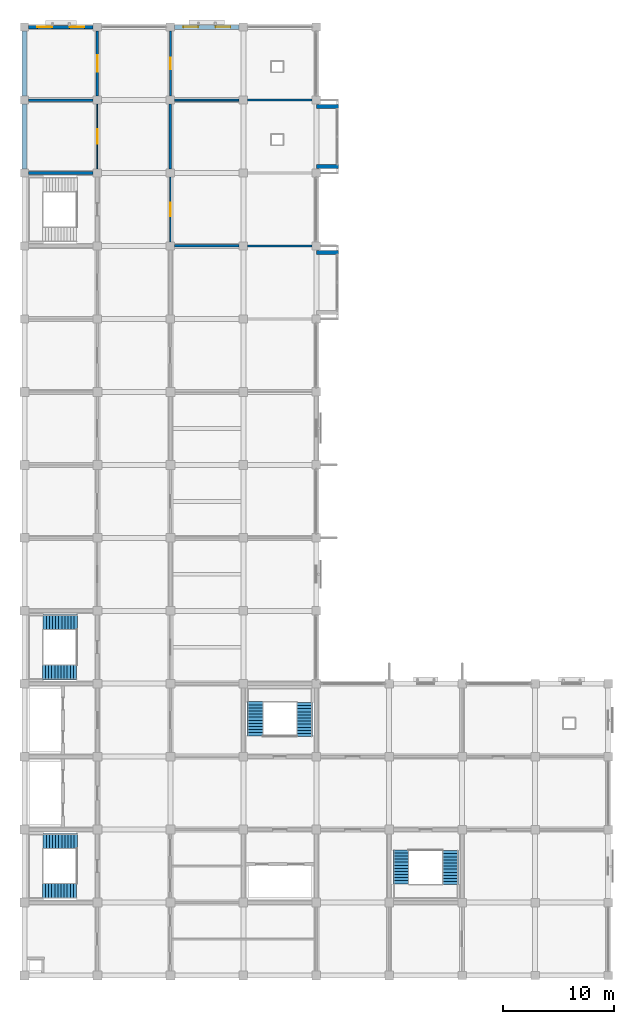
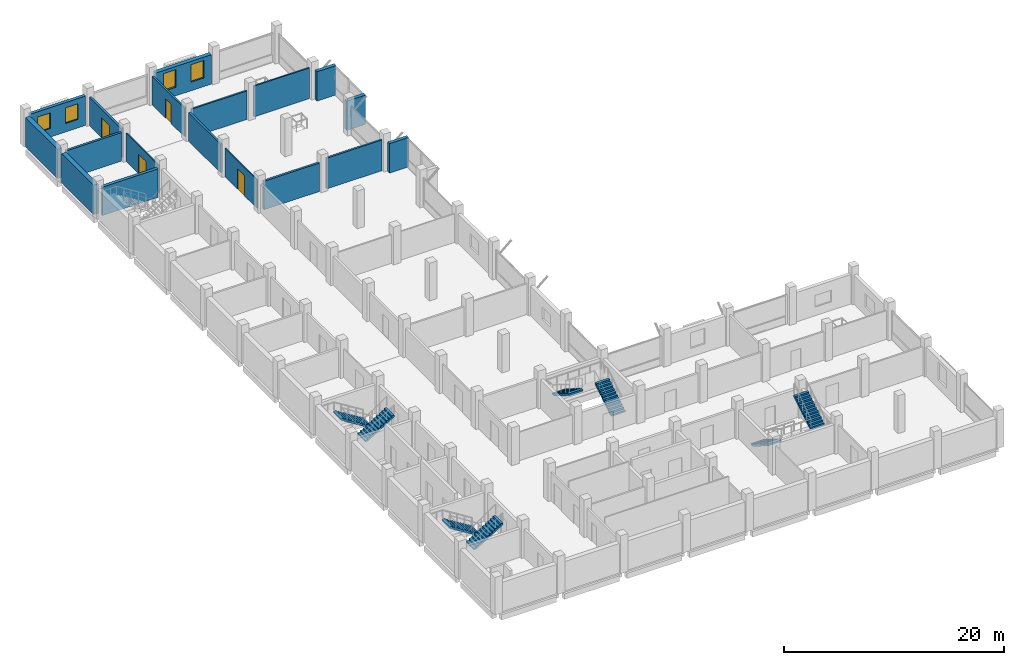
# One storey, part 13 of 18: 18 walls, 8 stair flights, 4 doors, 4 windows, 8 openings, 4 elements without a shape of their own.
"""IFC4 building model written with IfcOpenShell, lengths in metres."""

from ifc_helpers import new_model, si_unit, direction, frame, frame_2d, origin, place, context, subcontext, project, spatial, polyline, rectangle, outline, extrude, material, layer, layer_set, type_object, element, fill, aggregate, save


model = new_model("IFC4")

# Units and contexts
model_context = context("Model", 3, precision=1e-05, world=origin(), true_north=direction((0.0, 1.0)))
body_context = subcontext(model_context, "Body", "Model", "MODEL_VIEW")
ifc_project = project(units=[si_unit("LENGTHUNIT", "METRE"), si_unit("AREAUNIT", "SQUARE_METRE"), si_unit("VOLUMEUNIT", "CUBIC_METRE"), si_unit("PLANEANGLEUNIT", "RADIAN"), si_unit("MASSUNIT", "GRAM", prefix="KILO")], contexts=[model_context])

# Site, building, storey
site_placement = place(None, origin())
site = spatial("IfcSite", under=ifc_project, at=site_placement, CompositionType="ELEMENT")
building_placement = place(site_placement, origin())
building = spatial("IfcBuilding", under=site, at=building_placement, Name="Rusizi Kubbe Research Institute", CompositionType="ELEMENT")
storey_placement = place(building_placement, frame((0.0, 0.0, 22.800048828125)))
storey = spatial("IfcBuildingStorey", under=building, at=storey_placement, Name="L05", CompositionType="ELEMENT", Elevation=22.800048828125)

# Wall
ifc_material_1 = material(Name="Concrete C45/55", Category="concrete")
ifc_layer_1 = layer(ifc_material_1, 0.31494140625)
ifc_layer_set_1 = layer_set([ifc_layer_1], Name="Concrete C45/55")
wall_type_1 = type_object("IfcWallType", Name="CRW-02", PredefinedType="SHEAR", material=ifc_layer_set_1)
wall_1_placement = place(storey_placement, frame((0.375, 72.60009765625, 0.0), z_axis=(0.0, 0.0, 1.0), x_axis=(1.0, 0.0, 0.0)))
element("IfcWall", 1, at=wall_1_placement, inside=storey, type_object=wall_type_1, Name="Stair Core Shear Wall ST5 L05 N", PredefinedType="SHEAR", context=body_context, shape_type="SweptSolid", body=[
    extrude(rectangle(XDim=5.85009765625, YDim=0.31494140625, at=frame_2d((2.925048828125, 0.0))), origin(), (0.0, 0.0, 1.0), 3.169921875),
])

# Wall, openings, windows
ifc_material_2 = material(Name="Volcanic Basalt Ashlar Masonry", Category="masonry")
ifc_layer_2 = layer(ifc_material_2, 0.419921875)
ifc_layer_set_2 = layer_set([ifc_layer_2], Name="Volcanic Basalt Ashlar Masonry")
wall_type_2 = type_object("IfcWallType", Name="EW-02", PredefinedType="SOLIDWALL", material=ifc_layer_set_2)
wall_2_placement = place(storey_placement, frame((13.574951171875, 85.800048828125, 0.0), z_axis=(0.0, 0.0, 1.0), x_axis=(1.0, 0.0, 0.0)))
wall_2 = element("IfcWall", 2, at=wall_2_placement, inside=storey, type_object=wall_type_2, Name="Ablaq Stone Exterior Wall L05 H2-13", PredefinedType="SOLIDWALL", context=body_context, shape_type="SweptSolid", body=[
    extrude(rectangle(XDim=5.85009765625, YDim=0.419921875, at=frame_2d((2.925048828125, 0.0))), origin(), (0.0, 0.0, 1.0), 3.27001953125),
])
opening_1_placement = place(wall_2_placement, frame((0.800048828125, 0.0, 0.949951171875)))
opening_1 = element("IfcOpeningElement", 3, at=opening_1_placement, cuts=wall_2, Name="Opening WN-16", PredefinedType="OPENING", context=body_context, shape_type="SweptSolid", body=[
    extrude(rectangle(XDim=1.340087890625, YDim=1.9599609375, at=frame_2d((0.669921875, 0.97998046875))), frame((0.0, 0.219970703125, 0.0), z_axis=(0.0, -1.0, 0.0), x_axis=(1.0, 0.0, 0.0)), (0.0, 0.0, 1.0), 0.43994140625),
])
opening_2_placement = place(wall_2_placement, frame((3.7099609375, 0.0, 0.949951171875)))
opening_2 = element("IfcOpeningElement", 4, at=opening_2_placement, cuts=wall_2, Name="Opening WN-16", PredefinedType="OPENING", context=body_context, shape_type="SweptSolid", body=[
    extrude(rectangle(XDim=1.340087890625, YDim=1.9599609375, at=frame_2d((0.669921875, 0.97998046875))), frame((0.0, 0.219970703125, 0.0), z_axis=(0.0, -1.0, 0.0), x_axis=(1.0, 0.0, 0.0)), (0.0, 0.0, 1.0), 0.43994140625),
])
ifc_material_3 = material(Name="Aluminium Frame and Solar-Control Double Glazing", Category="glass")
window_type_1 = type_object("IfcWindowType", Name="WN-16", PartitioningType="SINGLE_PANEL", PredefinedType="WINDOW", material=ifc_material_3)
window_1_placement = place(opening_1_placement, origin())
window_1 = element("IfcWindow", 5, at=window_1_placement, inside=storey, type_object=window_type_1, Name="Casement Window WN-16 L05", OverallHeight=1.9599609375, OverallWidth=1.340087890625, PartitioningType="SINGLE_PANEL", PredefinedType="WINDOW", context=body_context, shape_type="SweptSolid", body=[
    extrude(rectangle(XDim=1.340087890625, YDim=1.9599609375, at=frame_2d((0.669921875, 0.97998046875))), frame((0.0, 0.030029296875, 0.0), z_axis=(0.0, -1.0, 0.0), x_axis=(1.0, 0.0, 0.0)), (0.0, 0.0, 1.0), 0.06005859375),
])
fill(opening_1, window_1)
window_2_placement = place(opening_2_placement, origin())
window_2 = element("IfcWindow", 6, at=window_2_placement, inside=storey, type_object=window_type_1, Name="Casement Window WN-16 L05", OverallHeight=1.9599609375, OverallWidth=1.340087890625, PartitioningType="SINGLE_PANEL", PredefinedType="WINDOW", context=body_context, shape_type="SweptSolid", body=[
    extrude(rectangle(XDim=1.340087890625, YDim=1.9599609375, at=frame_2d((0.669921875, 0.97998046875))), frame((0.0, 0.030029296875, 0.0), z_axis=(0.0, -1.0, 0.0), x_axis=(1.0, 0.0, 0.0)), (0.0, 0.0, 1.0), 0.06005859375),
])
fill(opening_2, window_2)

# Walls
ifc_material_4 = material(Name="Volcanic Basalt Ashlar Masonry", Category="masonry")
ifc_layer_3 = layer(ifc_material_4, 0.35498046875)
ifc_layer_set_3 = layer_set([ifc_layer_3], Name="Volcanic Basalt Ashlar Masonry")
wall_type_3 = type_object("IfcWallType", Name="EW-06", PredefinedType="SOLIDWALL", material=ifc_layer_set_3)
for number, where, z_axis, x_axis, name in (
    (7, (26.39990234375, 65.39990234375, 0.0), (0.0, 0.0, 1.0), (1.0, 0.0, 0.0), "Cumba Return Wall N L05 (4,9)"),
    (8, (26.39990234375, 73.199951171875, 0.0), (0.0, 0.0, 1.0), (1.0, 0.0, 0.0), "Cumba Return Wall S L05 (4,11)"),
    (9, (26.39990234375, 78.60009765625, 0.0), (0.0, 0.0, 1.0), (1.0, 0.0, 0.0), "Cumba Return Wall N L05 (4,11)"),
):
    element("IfcWall", number, at=place(storey_placement, frame(where, z_axis=z_axis, x_axis=x_axis)), inside=storey, type_object=wall_type_3, Name=name, PredefinedType="SOLIDWALL", context=body_context, shape_type="SweptSolid", body=[
        extrude(rectangle(XDim=2.0, YDim=0.35498046875, at=frame_2d((1.0, 0.0))), origin(), (0.0, 0.0, 1.0), 3.27001953125),
    ])

# Wall, openings, windows
ifc_material_5 = material(Name="Volcanic Basalt Ashlar Masonry", Category="masonry")
ifc_layer_4 = layer(ifc_material_5, 0.324951171875)
ifc_layer_set_4 = layer_set([ifc_layer_4], Name="Volcanic Basalt Ashlar Masonry")
wall_type_4 = type_object("IfcWallType", Name="EW-08", PredefinedType="SOLIDWALL", material=ifc_layer_set_4)
wall_3_placement = place(storey_placement, frame((0.375, 85.800048828125, 0.0), z_axis=(0.0, 0.0, 1.0), x_axis=(1.0, 0.0, 0.0)))
wall_3 = element("IfcWall", 10, at=wall_3_placement, inside=storey, type_object=wall_type_4, Name="Ablaq Stone Exterior Wall L05 H0-13", PredefinedType="SOLIDWALL", context=body_context, shape_type="SweptSolid", body=[
    extrude(rectangle(XDim=5.85009765625, YDim=0.324951171875, at=frame_2d((2.925048828125, 0.0))), origin(), (0.0, 0.0, 1.0), 3.27001953125),
])
opening_3_placement = place(wall_3_placement, frame((0.800048828125, 0.0, 0.949951171875)))
opening_3 = element("IfcOpeningElement", 11, at=opening_3_placement, cuts=wall_3, Name="Opening WN-15", PredefinedType="OPENING", context=body_context, shape_type="SweptSolid", body=[
    extrude(rectangle(XDim=1.340087890625, YDim=1.739990234375, at=frame_2d((0.669921875, 0.8701171875))), frame((0.0, 0.17236328125, 0.0), z_axis=(0.0, -1.0, 0.0), x_axis=(1.0, 0.0, 0.0)), (0.0, 0.0, 1.0), 0.344970703125),
])
opening_4_placement = place(wall_3_placement, frame((3.7099609375, 0.0, 0.949951171875)))
opening_4 = element("IfcOpeningElement", 12, at=opening_4_placement, cuts=wall_3, Name="Opening WN-15", PredefinedType="OPENING", context=body_context, shape_type="SweptSolid", body=[
    extrude(rectangle(XDim=1.340087890625, YDim=1.739990234375, at=frame_2d((0.669921875, 0.8701171875))), frame((0.0, 0.17236328125, 0.0), z_axis=(0.0, -1.0, 0.0), x_axis=(1.0, 0.0, 0.0)), (0.0, 0.0, 1.0), 0.344970703125),
])
ifc_material_6 = material(Name="Aluminium Frame and Solar-Control Double Glazing", Category="glass")
window_type_2 = type_object("IfcWindowType", Name="WN-15", PartitioningType="SINGLE_PANEL", PredefinedType="WINDOW", material=ifc_material_6)
window_3_placement = place(opening_3_placement, origin())
window_3 = element("IfcWindow", 13, at=window_3_placement, inside=storey, type_object=window_type_2, Name="Casement Window WN-15 L05", OverallHeight=1.739990234375, OverallWidth=1.340087890625, PartitioningType="SINGLE_PANEL", PredefinedType="WINDOW", context=body_context, shape_type="SweptSolid", body=[
    extrude(rectangle(XDim=1.340087890625, YDim=1.739990234375, at=frame_2d((0.669921875, 0.8701171875))), frame((0.0, 0.030029296875, 0.0), z_axis=(0.0, -1.0, 0.0), x_axis=(1.0, 0.0, 0.0)), (0.0, 0.0, 1.0), 0.06005859375),
])
fill(opening_3, window_3)
window_4_placement = place(opening_4_placement, origin())
window_4 = element("IfcWindow", 14, at=window_4_placement, inside=storey, type_object=window_type_2, Name="Casement Window WN-15 L05", OverallHeight=1.739990234375, OverallWidth=1.340087890625, PartitioningType="SINGLE_PANEL", PredefinedType="WINDOW", context=body_context, shape_type="SweptSolid", body=[
    extrude(rectangle(XDim=1.340087890625, YDim=1.739990234375, at=frame_2d((0.669921875, 0.8701171875))), frame((0.0, 0.030029296875, 0.0), z_axis=(0.0, -1.0, 0.0), x_axis=(1.0, 0.0, 0.0)), (0.0, 0.0, 1.0), 0.06005859375),
])
fill(opening_4, window_4)

# Wall
ifc_material_7 = material(Name="Concrete Blockwork Fire Partition", Category="masonry")
ifc_layer_5 = layer(ifc_material_7, 0.22509765625)
ifc_layer_set_5 = layer_set([ifc_layer_5], Name="Concrete Blockwork Fire Partition")
wall_type_5 = type_object("IfcWallType", Name="IW-01", PredefinedType="PARTITIONING", material=ifc_layer_set_5)
wall_4_placement = place(storey_placement, frame((0.375, 79.199951171875, 0.0), z_axis=(0.0, 0.0, 1.0), x_axis=(1.0, 0.0, 0.0)))
element("IfcWall", 15, at=wall_4_placement, inside=storey, type_object=wall_type_5, Name="Interior Partition Wall L05 H0-12", PredefinedType="PARTITIONING", context=body_context, shape_type="SweptSolid", body=[
    extrude(rectangle(XDim=5.85009765625, YDim=0.22509765625, at=frame_2d((2.925048828125, 0.0))), origin(), (0.0, 0.0, 1.0), 3.169921875),
])

# Wall, opening, door
wall_5_placement = place(storey_placement, frame((6.60009765625, 79.574951171875, 0.0), z_axis=(0.0, 0.0, 1.0), x_axis=(0.0, 1.0, 0.0)))
wall_5 = element("IfcWall", 16, at=wall_5_placement, inside=storey, type_object=wall_type_5, Name="Interior Partition Wall L05 V1-12", PredefinedType="PARTITIONING", context=body_context, shape_type="SweptSolid", body=[
    extrude(rectangle(XDim=5.85009765625, YDim=0.22509765625, at=frame_2d((2.925048828125, 0.0))), origin(), (0.0, 0.0, 1.0), 3.169921875),
])
opening_5_placement = place(wall_5_placement, frame((2.18505859375, 0.0, 0.0)))
opening_5 = element("IfcOpeningElement", 17, at=opening_5_placement, cuts=wall_5, Name="Opening LD-08", PredefinedType="OPENING", context=body_context, shape_type="SweptSolid", body=[
    extrude(rectangle(XDim=1.47998046875, YDim=2.25, at=frame_2d((0.739990234375, 1.125))), frame((0.0, 0.12255859375, 0.0), z_axis=(0.0, -1.0, 0.0), x_axis=(1.0, 0.0, 0.0)), (0.0, 0.0, 1.0), 0.2451171875),
])
ifc_material_8 = material(Name="Brushed Stainless Steel Sliding Door", Category="steel")
door_type_1 = type_object("IfcDoorType", Name="LD-08", OperationType="DOUBLE_DOOR_SLIDING", PredefinedType="USERDEFINED", material=ifc_material_8)
door_1_placement = place(opening_5_placement, origin())
door_1 = element("IfcDoor", 18, at=door_1_placement, inside=storey, type_object=door_type_1, Name="Door to ISO-6 Clean Room Suite (L05-CR-12)", ObjectType="SLIDING DOOR", OperationType="DOUBLE_DOOR_SLIDING", OverallHeight=2.25, OverallWidth=1.47998046875, PredefinedType="USERDEFINED", context=body_context, shape_type="SweptSolid", body=[
    extrude(rectangle(XDim=1.47998046875, YDim=2.25, at=frame_2d((0.739990234375, 1.125))), frame((0.0, 0.02490234375, 0.0), z_axis=(0.0, -1.0, 0.0), x_axis=(1.0, 0.0, 0.0)), (0.0, 0.0, 1.0), 0.050048828125),
])
fill(opening_5, door_1)

# Walls
wall_6_placement = place(storey_placement, frame((13.199951171875, 72.97509765625, 0.0), z_axis=(0.0, 0.0, 1.0), x_axis=(0.0, 1.0, 0.0)))
element("IfcWall", 19, at=wall_6_placement, inside=storey, type_object=wall_type_5, Name="Interior Partition Wall L05 V2-11", PredefinedType="PARTITIONING", context=body_context, shape_type="SweptSolid", body=[
    extrude(rectangle(XDim=5.849853515625, YDim=0.22509765625, at=frame_2d((2.9248046875, 0.0))), origin(), (0.0, 0.0, 1.0), 3.169921875),
])
wall_7_placement = place(storey_placement, frame((13.574951171875, 66.0, 0.0), z_axis=(0.0, 0.0, 1.0), x_axis=(1.0, 0.0, 0.0)))
element("IfcWall", 20, at=wall_7_placement, inside=storey, type_object=wall_type_5, Name="Interior Partition Wall L05 H2-10", PredefinedType="PARTITIONING", context=body_context, shape_type="SweptSolid", body=[
    extrude(rectangle(XDim=5.85009765625, YDim=0.22509765625, at=frame_2d((2.925048828125, 0.0))), origin(), (0.0, 0.0, 1.0), 3.169921875),
])

# Wall, opening, door
ifc_material_9 = material(Name="Insulated Cleanroom Partition", Category="masonry")
ifc_layer_6 = layer(ifc_material_9, 0.195068359375)
ifc_layer_set_6 = layer_set([ifc_layer_6], Name="Insulated Cleanroom Partition")
wall_type_6 = type_object("IfcWallType", Name="IW-02", PredefinedType="PARTITIONING", material=ifc_layer_set_6)
wall_8_placement = place(storey_placement, frame((13.199951171875, 79.574951171875, 0.0), z_axis=(0.0, 0.0, 1.0), x_axis=(0.0, 1.0, 0.0)))
wall_8 = element("IfcWall", 21, at=wall_8_placement, inside=storey, type_object=wall_type_6, Name="Interior Partition Wall L05 V2-12", PredefinedType="PARTITIONING", context=body_context, shape_type="SweptSolid", body=[
    extrude(rectangle(XDim=5.85009765625, YDim=0.195068359375, at=frame_2d((2.925048828125, 0.0))), origin(), (0.0, 0.0, 1.0), 3.169921875),
])
opening_6_placement = place(wall_8_placement, frame((2.39990234375, 0.0, 0.0)))
opening_6 = element("IfcOpeningElement", 22, at=opening_6_placement, cuts=wall_8, Name="Opening D-16", PredefinedType="OPENING", context=body_context, shape_type="SweptSolid", body=[
    extrude(rectangle(XDim=1.050048828125, YDim=2.14990234375, at=frame_2d((0.52490234375, 1.074951171875))), frame((0.0, 0.107421875, 0.0), z_axis=(0.0, -1.0, 0.0), x_axis=(1.0, 0.0, 0.0)), (0.0, 0.0, 1.0), 0.215087890625),
])
ifc_material_10 = material(Name="Fire-Rated Steel Frame and Acoustic Timber Leaf", Category="wood")
door_type_2 = type_object("IfcDoorType", Name="ID-OFF-105", OperationType="NOTDEFINED", PredefinedType="DOOR", material=ifc_material_10)
door_2_placement = place(opening_6_placement, origin())
door_2 = element("IfcDoor", 23, at=door_2_placement, inside=storey, type_object=door_type_2, Name="Door to Write-up Office (L05-NW-06)", OperationType="SINGLE_SWING_LEFT", OverallHeight=2.14990234375, OverallWidth=1.050048828125, PredefinedType="DOOR", context=body_context, shape_type="SweptSolid", body=[
    extrude(rectangle(XDim=1.050048828125, YDim=2.14990234375, at=frame_2d((0.52490234375, 1.074951171875))), frame((0.0, 0.02490234375, 0.0), z_axis=(0.0, -1.0, 0.0), x_axis=(1.0, 0.0, 0.0)), (0.0, 0.0, 1.0), 0.050048828125),
])
fill(opening_6, door_2)

# Walls
wall_9_placement = place(storey_placement, frame((20.175048828125, 66.0, 0.0), z_axis=(0.0, 0.0, 1.0), x_axis=(1.0, 0.0, 0.0)))
element("IfcWall", 24, at=wall_9_placement, inside=storey, type_object=wall_type_6, Name="Interior Partition Wall L05 H3-10", PredefinedType="PARTITIONING", context=body_context, shape_type="SweptSolid", body=[
    extrude(rectangle(XDim=5.849853515625, YDim=0.195068359375, at=frame_2d((2.9248046875, 0.0))), origin(), (0.0, 0.0, 1.0), 3.419921875),
])
ifc_material_11 = material(Name="Acoustic Laboratory Partition", Category="masonry")
ifc_layer_7 = layer(ifc_material_11, 0.175048828125)
ifc_layer_set_7 = layer_set([ifc_layer_7], Name="Acoustic Laboratory Partition")
wall_type_7 = type_object("IfcWallType", Name="IW-03", PredefinedType="PARTITIONING", material=ifc_layer_set_7)
wall_10_placement = place(storey_placement, frame((13.574951171875, 79.199951171875, 0.0), z_axis=(0.0, 0.0, 1.0), x_axis=(1.0, 0.0, 0.0)))
element("IfcWall", 25, at=wall_10_placement, inside=storey, type_object=wall_type_7, Name="Interior Partition Wall L05 H2-12", PredefinedType="PARTITIONING", context=body_context, shape_type="SweptSolid", body=[
    extrude(rectangle(XDim=5.85009765625, YDim=0.175048828125, at=frame_2d((2.925048828125, 0.0))), origin(), (0.0, 0.0, 1.0), 3.169921875),
])
ifc_material_12 = material(Name="Fire-Rated Corridor Partition", Category="masonry")
ifc_layer_8 = layer(ifc_material_12, 0.155029296875)
ifc_layer_set_8 = layer_set([ifc_layer_8], Name="Fire-Rated Corridor Partition")
wall_type_8 = type_object("IfcWallType", Name="IW-04", PredefinedType="PARTITIONING", material=ifc_layer_set_8)
wall_11_placement = place(storey_placement, frame((20.175048828125, 79.199951171875, 0.0), z_axis=(0.0, 0.0, 1.0), x_axis=(1.0, 0.0, 0.0)))
element("IfcWall", 26, at=wall_11_placement, inside=storey, type_object=wall_type_8, Name="Interior Partition Wall L05 H3-12", PredefinedType="PARTITIONING", context=body_context, shape_type="SweptSolid", body=[
    extrude(rectangle(XDim=5.849853515625, YDim=0.155029296875, at=frame_2d((2.9248046875, 0.0))), origin(), (0.0, 0.0, 1.0), 3.419921875),
])

# Wall, opening, door
ifc_material_13 = material(Name="Sub-Suite Fire Partition", Category="masonry")
ifc_layer_9 = layer(ifc_material_13, 0.110107421875)
ifc_layer_set_9 = layer_set([ifc_layer_9], Name="Sub-Suite Fire Partition")
wall_type_9 = type_object("IfcWallType", Name="IW-07", PredefinedType="PARTITIONING", material=ifc_layer_set_9)
wall_12_placement = place(storey_placement, frame((6.60009765625, 72.97509765625, 0.0), z_axis=(0.0, 0.0, 1.0), x_axis=(0.0, 1.0, 0.0)))
wall_12 = element("IfcWall", 27, at=wall_12_placement, inside=storey, type_object=wall_type_9, Name="Interior Partition Wall L05 V1-11", PredefinedType="PARTITIONING", context=body_context, shape_type="SweptSolid", body=[
    extrude(rectangle(XDim=5.849853515625, YDim=0.110107421875, at=frame_2d((2.9248046875, 0.0))), origin(), (0.0, 0.0, 1.0), 3.169921875),
])
opening_7_placement = place(wall_12_placement, frame((2.264892578125, 0.0, 0.0)))
opening_7 = element("IfcOpeningElement", 28, at=opening_7_placement, cuts=wall_12, Name="Opening LD-07", PredefinedType="OPENING", context=body_context, shape_type="SweptSolid", body=[
    extrude(rectangle(XDim=1.320068359375, YDim=2.199951171875, at=frame_2d((0.66015625, 1.10009765625))), frame((0.0, 0.06494140625, 0.0), z_axis=(0.0, -1.0, 0.0), x_axis=(1.0, 0.0, 0.0)), (0.0, 0.0, 1.0), 0.130126953125),
])
ifc_material_14 = material(Name="Brushed Stainless Steel Sliding Door", Category="steel")
door_type_3 = type_object("IfcDoorType", Name="LD-07", OperationType="DOUBLE_DOOR_SLIDING", PredefinedType="USERDEFINED", material=ifc_material_14)
door_3_placement = place(opening_7_placement, origin())
door_3 = element("IfcDoor", 29, at=door_3_placement, inside=storey, type_object=door_type_3, Name="Door to Clean Room Gowning Airlock (L05-ALK-11)", ObjectType="SLIDING DOOR", OperationType="DOUBLE_DOOR_SLIDING", OverallHeight=2.199951171875, OverallWidth=1.320068359375, PredefinedType="USERDEFINED", context=body_context, shape_type="SweptSolid", body=[
    extrude(rectangle(XDim=1.320068359375, YDim=2.199951171875, at=frame_2d((0.66015625, 1.10009765625))), frame((0.0, 0.02490234375, 0.0), z_axis=(0.0, -1.0, 0.0), x_axis=(1.0, 0.0, 0.0)), (0.0, 0.0, 1.0), 0.050048828125),
])
fill(opening_7, door_3)

wall_13_placement = place(storey_placement, frame((13.199951171875, 66.375, 0.0), z_axis=(0.0, 0.0, 1.0), x_axis=(0.0, 1.0, 0.0)))
wall_13 = element("IfcWall", 30, at=wall_13_placement, inside=storey, type_object=wall_type_9, Name="Interior Partition Wall L05 V2-10", PredefinedType="PARTITIONING", context=body_context, shape_type="SweptSolid", body=[
    extrude(rectangle(XDim=5.85009765625, YDim=0.110107421875, at=frame_2d((2.925048828125, 0.0))), origin(), (0.0, 0.0, 1.0), 3.169921875),
])
opening_8_placement = place(wall_13_placement, frame((2.300048828125, 0.0, 0.0)))
opening_8 = element("IfcOpeningElement", 31, at=opening_8_placement, cuts=wall_13, Name="Opening D-15", PredefinedType="OPENING", context=body_context, shape_type="SweptSolid", body=[
    extrude(rectangle(XDim=1.25, YDim=2.25, at=frame_2d((0.625, 1.125))), frame((0.0, 0.06494140625, 0.0), z_axis=(0.0, -1.0, 0.0), x_axis=(1.0, 0.0, 0.0)), (0.0, 0.0, 1.0), 0.130126953125),
])
ifc_material_15 = material(Name="Fire-Rated Steel Frame and Acoustic Timber Leaf", Category="wood")
door_type_4 = type_object("IfcDoorType", Name="ID-LAB-125", OperationType="NOTDEFINED", PredefinedType="DOOR", material=ifc_material_15)
door_4_placement = place(opening_8_placement, origin())
door_4 = element("IfcDoor", 32, at=door_4_placement, inside=storey, type_object=door_type_4, Name="Door to Computational Dry Laboratory (L05-NW-05)", OperationType="SINGLE_SWING_LEFT", OverallHeight=2.25, OverallWidth=1.25, PredefinedType="DOOR", context=body_context, shape_type="SweptSolid", body=[
    extrude(rectangle(XDim=1.25, YDim=2.25, at=frame_2d((0.625, 1.125))), frame((0.0, 0.02490234375, 0.0), z_axis=(0.0, -1.0, 0.0), x_axis=(1.0, 0.0, 0.0)), (0.0, 0.0, 1.0), 0.050048828125),
])
fill(opening_8, door_4)

# Walls
ifc_material_16 = material(Name="Concrete C40/50", Category="concrete")
ifc_layer_10 = layer(ifc_material_16, 0.47998046875)
ifc_layer_set_10 = layer_set([ifc_layer_10], Name="Concrete C40/50")
wall_type_10 = type_object("IfcWallType", Name="PW-01", PredefinedType="SOLIDWALL", material=ifc_layer_set_10)
wall_14_placement = place(storey_placement, frame((0.0, 72.97509765625, 0.0), z_axis=(0.0, 0.0, 1.0), x_axis=(0.0, 1.0, 0.0)))
element("IfcWall", 33, at=wall_14_placement, inside=storey, type_object=wall_type_10, Name="Blind Party Wall L05 V0-11", PredefinedType="SOLIDWALL", context=body_context, shape_type="SweptSolid", body=[
    extrude(rectangle(XDim=5.849853515625, YDim=0.47998046875, at=frame_2d((2.9248046875, 0.0))), origin(), (0.0, 0.0, 1.0), 3.27001953125),
])
wall_15_placement = place(storey_placement, frame((0.0, 79.574951171875, 0.0), z_axis=(0.0, 0.0, 1.0), x_axis=(0.0, 1.0, 0.0)))
element("IfcWall", 34, at=wall_15_placement, inside=storey, type_object=wall_type_10, Name="Blind Party Wall L05 V0-12", PredefinedType="SOLIDWALL", context=body_context, shape_type="SweptSolid", body=[
    extrude(rectangle(XDim=5.85009765625, YDim=0.47998046875, at=frame_2d((2.925048828125, 0.0))), origin(), (0.0, 0.0, 1.0), 3.27001953125),
])

# Stair, stair flights
ifc_material_17 = material(Name="Concrete C40/50", Category="concrete")
stair_type_1 = type_object("IfcStairType", Name="ST-H420A", PredefinedType="HALF_TURN_STAIR", material=ifc_material_17)
stair_1_placement = place(storey_placement, origin())
stair_1 = element("IfcStair", 35, at=stair_1_placement, inside=storey, type_object=stair_type_1, Name="Protected Exit Stair ST1 (L05)", PredefinedType="HALF_TURN_STAIR")
ifc_material_18 = material(Name="Concrete C40/50", Category="concrete")
stair_flight_type_1 = type_object("IfcStairFlightType", Name="FL-H420A", PredefinedType="STRAIGHT", material=ifc_material_18)
stair_flight_1_placement = place(storey_placement, frame((4.780029296875, 12.14990234375, 0.0), z_axis=(0.0, 0.0, 1.0), x_axis=(-1.0, 0.0, 0.0)))
stair_flight_1 = element("IfcStairFlight", 36, at=stair_flight_1_placement, type_object=stair_flight_type_1, Name="ST1 flight 1", NumberOfRisers=12, NumberOfTreads=11, PredefinedType="STRAIGHT", RiserHeight=0.175, TreadLength=0.28, context=body_context, shape_type="SweptSolid", body=[
    extrude(outline(polyline([(0.0, 0.0), (0.0, 0.175048828125), (0.280029296875, 0.175048828125), (0.280029296875, 0.35009765625), (0.56005859375, 0.35009765625), (0.56005859375, 0.52490234375), (0.840087890625, 0.52490234375), (0.840087890625, 0.699951171875), (1.1201171875, 0.699951171875), (1.1201171875, 0.875), (1.39990234375, 0.875), (1.39990234375, 1.050048828125), (1.679931640625, 1.050048828125), (1.679931640625, 1.22509765625), (1.9599609375, 1.22509765625), (1.9599609375, 1.39990234375), (2.239990234375, 1.39990234375), (2.239990234375, 1.574951171875), (2.52001953125, 1.574951171875), (2.52001953125, 1.75), (2.800048828125, 1.75), (2.800048828125, 1.925048828125), (3.080078125, 1.925048828125), (3.080078125, 2.10009765625), (3.080078125, 1.736328125), (0.3017578125, 0.0), (0.0, 0.0)])), frame((0.0, 0.699951171875, 0.0), z_axis=(0.0, -1.0, 0.0), x_axis=(1.0, 0.0, 0.0)), (0.0, 0.0, 1.0), 1.39990234375),
])
stair_flight_2_placement = place(storey_placement, frame((1.6259765625, 7.64990234375, 2.099853515625), z_axis=(0.0, 0.0, 1.0), x_axis=(1.0, 0.0, 0.0)))
stair_flight_2 = element("IfcStairFlight", 37, at=stair_flight_2_placement, type_object=stair_flight_type_1, Name="ST1 flight 2", NumberOfRisers=12, NumberOfTreads=11, PredefinedType="STRAIGHT", RiserHeight=0.175, TreadLength=0.28, context=body_context, shape_type="SweptSolid", body=[
    extrude(outline(polyline([(0.0, 0.0), (0.0, 0.175048828125), (0.280029296875, 0.175048828125), (0.280029296875, 0.35009765625), (0.56005859375, 0.35009765625), (0.56005859375, 0.52490234375), (0.840087890625, 0.52490234375), (0.840087890625, 0.699951171875), (1.1201171875, 0.699951171875), (1.1201171875, 0.875), (1.39990234375, 0.875), (1.39990234375, 1.050048828125), (1.679931640625, 1.050048828125), (1.679931640625, 1.22509765625), (1.9599609375, 1.22509765625), (1.9599609375, 1.39990234375), (2.239990234375, 1.39990234375), (2.239990234375, 1.574951171875), (2.52001953125, 1.574951171875), (2.52001953125, 1.75), (2.800048828125, 1.75), (2.800048828125, 1.925048828125), (3.080078125, 1.925048828125), (3.080078125, 2.10009765625), (3.080078125, 1.736328125), (0.3017578125, 0.0), (0.0, 0.0)])), frame((0.0, 0.699951171875, 0.0), z_axis=(0.0, -1.0, 0.0), x_axis=(1.0, 0.0, 0.0)), (0.0, 0.0, 1.0), 1.39990234375),
])
aggregate(stair_1, [stair_flight_1, stair_flight_2])

stair_2_placement = place(storey_placement, origin())
stair_2 = element("IfcStair", 38, at=stair_2_placement, inside=storey, type_object=stair_type_1, Name="Protected Exit Stair ST2 (L05)", PredefinedType="HALF_TURN_STAIR")
stair_flight_3_placement = place(storey_placement, frame((4.780029296875, 31.949951171875, 0.0), z_axis=(0.0, 0.0, 1.0), x_axis=(-1.0, 0.0, 0.0)))
stair_flight_3 = element("IfcStairFlight", 39, at=stair_flight_3_placement, type_object=stair_flight_type_1, Name="ST2 flight 1", NumberOfRisers=12, NumberOfTreads=11, PredefinedType="STRAIGHT", RiserHeight=0.175, TreadLength=0.28, context=body_context, shape_type="SweptSolid", body=[
    extrude(outline(polyline([(0.0, 0.0), (0.0, 0.175048828125), (0.280029296875, 0.175048828125), (0.280029296875, 0.35009765625), (0.56005859375, 0.35009765625), (0.56005859375, 0.52490234375), (0.840087890625, 0.52490234375), (0.840087890625, 0.699951171875), (1.1201171875, 0.699951171875), (1.1201171875, 0.875), (1.39990234375, 0.875), (1.39990234375, 1.050048828125), (1.679931640625, 1.050048828125), (1.679931640625, 1.22509765625), (1.9599609375, 1.22509765625), (1.9599609375, 1.39990234375), (2.239990234375, 1.39990234375), (2.239990234375, 1.574951171875), (2.52001953125, 1.574951171875), (2.52001953125, 1.75), (2.800048828125, 1.75), (2.800048828125, 1.925048828125), (3.080078125, 1.925048828125), (3.080078125, 2.10009765625), (3.080078125, 1.736328125), (0.3017578125, 0.0), (0.0, 0.0)])), frame((0.0, 0.699951171875, 0.0), z_axis=(0.0, -1.0, 0.0), x_axis=(1.0, 0.0, 0.0)), (0.0, 0.0, 1.0), 1.39990234375),
])
stair_flight_4_placement = place(storey_placement, frame((1.6259765625, 27.449951171875, 2.099853515625), z_axis=(0.0, 0.0, 1.0), x_axis=(1.0, 0.0, 0.0)))
stair_flight_4 = element("IfcStairFlight", 40, at=stair_flight_4_placement, type_object=stair_flight_type_1, Name="ST2 flight 2", NumberOfRisers=12, NumberOfTreads=11, PredefinedType="STRAIGHT", RiserHeight=0.175, TreadLength=0.28, context=body_context, shape_type="SweptSolid", body=[
    extrude(outline(polyline([(0.0, 0.0), (0.0, 0.175048828125), (0.280029296875, 0.175048828125), (0.280029296875, 0.35009765625), (0.56005859375, 0.35009765625), (0.56005859375, 0.52490234375), (0.840087890625, 0.52490234375), (0.840087890625, 0.699951171875), (1.1201171875, 0.699951171875), (1.1201171875, 0.875), (1.39990234375, 0.875), (1.39990234375, 1.050048828125), (1.679931640625, 1.050048828125), (1.679931640625, 1.22509765625), (1.9599609375, 1.22509765625), (1.9599609375, 1.39990234375), (2.239990234375, 1.39990234375), (2.239990234375, 1.574951171875), (2.52001953125, 1.574951171875), (2.52001953125, 1.75), (2.800048828125, 1.75), (2.800048828125, 1.925048828125), (3.080078125, 1.925048828125), (3.080078125, 2.10009765625), (3.080078125, 1.736328125), (0.3017578125, 0.0), (0.0, 0.0)])), frame((0.0, 0.699951171875, 0.0), z_axis=(0.0, -1.0, 0.0), x_axis=(1.0, 0.0, 0.0)), (0.0, 0.0, 1.0), 1.39990234375),
])
aggregate(stair_2, [stair_flight_3, stair_flight_4])

ifc_material_19 = material(Name="Concrete C40/50", Category="concrete")
stair_type_2 = type_object("IfcStairType", Name="ST-H420B", PredefinedType="HALF_TURN_STAIR", material=ifc_material_19)
stair_3_placement = place(storey_placement, origin())
stair_3 = element("IfcStair", 41, at=stair_3_placement, inside=storey, type_object=stair_type_2, Name="Protected Exit Stair ST3 (L05)", PredefinedType="HALF_TURN_STAIR")
ifc_material_20 = material(Name="Concrete C40/50", Category="concrete")
stair_flight_type_2 = type_object("IfcStairFlightType", Name="FL-H420B", PredefinedType="STRAIGHT", material=ifc_material_20)
stair_flight_5_placement = place(storey_placement, frame((25.324951171875, 21.6201171875, 0.0), z_axis=(0.0, 0.0, 1.0), x_axis=(0.0, 1.0, 0.0)))
stair_flight_5 = element("IfcStairFlight", 42, at=stair_flight_5_placement, type_object=stair_flight_type_2, Name="ST3 flight 1", NumberOfRisers=12, NumberOfTreads=11, PredefinedType="STRAIGHT", RiserHeight=0.175, TreadLength=0.28, context=body_context, shape_type="SweptSolid", body=[
    extrude(outline(polyline([(0.0, 0.0), (0.0, 0.175048828125), (0.280029296875, 0.175048828125), (0.280029296875, 0.35009765625), (0.56005859375, 0.35009765625), (0.56005859375, 0.52490234375), (0.840087890625, 0.52490234375), (0.840087890625, 0.699951171875), (1.1201171875, 0.699951171875), (1.1201171875, 0.875), (1.39990234375, 0.875), (1.39990234375, 1.050048828125), (1.679931640625, 1.050048828125), (1.679931640625, 1.22509765625), (1.9599609375, 1.22509765625), (1.9599609375, 1.39990234375), (2.239990234375, 1.39990234375), (2.239990234375, 1.574951171875), (2.52001953125, 1.574951171875), (2.52001953125, 1.75), (2.800048828125, 1.75), (2.800048828125, 1.925048828125), (3.080078125, 1.925048828125), (3.080078125, 2.10009765625), (3.080078125, 1.736328125), (0.3017578125, 0.0), (0.0, 0.0)])), frame((0.0, 0.72509765625, 0.0), z_axis=(0.0, -1.0, 0.0), x_axis=(1.0, 0.0, 0.0)), (0.0, 0.0, 1.0), 1.449951171875),
])
stair_flight_6_placement = place(storey_placement, frame((20.875, 24.77392578125, 2.099853515625), z_axis=(0.0, 0.0, 1.0), x_axis=(0.0, -1.0, 0.0)))
stair_flight_6 = element("IfcStairFlight", 43, at=stair_flight_6_placement, type_object=stair_flight_type_2, Name="ST3 flight 2", NumberOfRisers=12, NumberOfTreads=11, PredefinedType="STRAIGHT", RiserHeight=0.175, TreadLength=0.28, context=body_context, shape_type="SweptSolid", body=[
    extrude(outline(polyline([(0.0, 0.0), (0.0, 0.175048828125), (0.280029296875, 0.175048828125), (0.280029296875, 0.35009765625), (0.56005859375, 0.35009765625), (0.56005859375, 0.52490234375), (0.840087890625, 0.52490234375), (0.840087890625, 0.699951171875), (1.1201171875, 0.699951171875), (1.1201171875, 0.875), (1.39990234375, 0.875), (1.39990234375, 1.050048828125), (1.679931640625, 1.050048828125), (1.679931640625, 1.22509765625), (1.9599609375, 1.22509765625), (1.9599609375, 1.39990234375), (2.239990234375, 1.39990234375), (2.239990234375, 1.574951171875), (2.52001953125, 1.574951171875), (2.52001953125, 1.75), (2.800048828125, 1.75), (2.800048828125, 1.925048828125), (3.080078125, 1.925048828125), (3.080078125, 2.10009765625), (3.080078125, 1.736328125), (0.3017578125, 0.0), (0.0, 0.0)])), frame((0.0, 0.72509765625, 0.0), z_axis=(0.0, -1.0, 0.0), x_axis=(1.0, 0.0, 0.0)), (0.0, 0.0, 1.0), 1.449951171875),
])
aggregate(stair_3, [stair_flight_5, stair_flight_6])

stair_4_placement = place(storey_placement, origin())
stair_4 = element("IfcStair", 44, at=stair_4_placement, inside=storey, type_object=stair_type_2, Name="Protected Exit Stair ST4 (L05)", PredefinedType="HALF_TURN_STAIR")
stair_flight_7_placement = place(storey_placement, frame((34.074951171875, 11.3798828125, 0.0), z_axis=(0.0, 0.0, 1.0), x_axis=(0.0, -1.0, 0.0)))
stair_flight_7 = element("IfcStairFlight", 45, at=stair_flight_7_placement, type_object=stair_flight_type_2, Name="ST4 flight 1", NumberOfRisers=12, NumberOfTreads=11, PredefinedType="STRAIGHT", RiserHeight=0.175, TreadLength=0.28, context=body_context, shape_type="SweptSolid", body=[
    extrude(outline(polyline([(0.0, 0.0), (0.0, 0.175048828125), (0.280029296875, 0.175048828125), (0.280029296875, 0.35009765625), (0.56005859375, 0.35009765625), (0.56005859375, 0.52490234375), (0.840087890625, 0.52490234375), (0.840087890625, 0.699951171875), (1.1201171875, 0.699951171875), (1.1201171875, 0.875), (1.39990234375, 0.875), (1.39990234375, 1.050048828125), (1.679931640625, 1.050048828125), (1.679931640625, 1.22509765625), (1.9599609375, 1.22509765625), (1.9599609375, 1.39990234375), (2.239990234375, 1.39990234375), (2.239990234375, 1.574951171875), (2.52001953125, 1.574951171875), (2.52001953125, 1.75), (2.800048828125, 1.75), (2.800048828125, 1.925048828125), (3.080078125, 1.925048828125), (3.080078125, 2.10009765625), (3.080078125, 1.736328125), (0.3017578125, 0.0), (0.0, 0.0)])), frame((0.0, 0.72509765625, 0.0), z_axis=(0.0, -1.0, 0.0), x_axis=(1.0, 0.0, 0.0)), (0.0, 0.0, 1.0), 1.449951171875),
])
stair_flight_8_placement = place(storey_placement, frame((38.52490234375, 8.22607421875, 2.099853515625), z_axis=(0.0, 0.0, 1.0), x_axis=(0.0, 1.0, 0.0)))
stair_flight_8 = element("IfcStairFlight", 46, at=stair_flight_8_placement, type_object=stair_flight_type_2, Name="ST4 flight 2", NumberOfRisers=12, NumberOfTreads=11, PredefinedType="STRAIGHT", RiserHeight=0.175, TreadLength=0.28, context=body_context, shape_type="SweptSolid", body=[
    extrude(outline(polyline([(0.0, 0.0), (0.0, 0.175048828125), (0.280029296875, 0.175048828125), (0.280029296875, 0.35009765625), (0.56005859375, 0.35009765625), (0.56005859375, 0.52490234375), (0.840087890625, 0.52490234375), (0.840087890625, 0.699951171875), (1.1201171875, 0.699951171875), (1.1201171875, 0.875), (1.39990234375, 0.875), (1.39990234375, 1.050048828125), (1.679931640625, 1.050048828125), (1.679931640625, 1.22509765625), (1.9599609375, 1.22509765625), (1.9599609375, 1.39990234375), (2.239990234375, 1.39990234375), (2.239990234375, 1.574951171875), (2.52001953125, 1.574951171875), (2.52001953125, 1.75), (2.800048828125, 1.75), (2.800048828125, 1.925048828125), (3.080078125, 1.925048828125), (3.080078125, 2.10009765625), (3.080078125, 1.736328125), (0.3017578125, 0.0), (0.0, 0.0)])), frame((0.0, 0.72509765625, 0.0), z_axis=(0.0, -1.0, 0.0), x_axis=(1.0, 0.0, 0.0)), (0.0, 0.0, 1.0), 1.449951171875),
])
aggregate(stair_4, [stair_flight_7, stair_flight_8])

save(model, "model.ifc")
